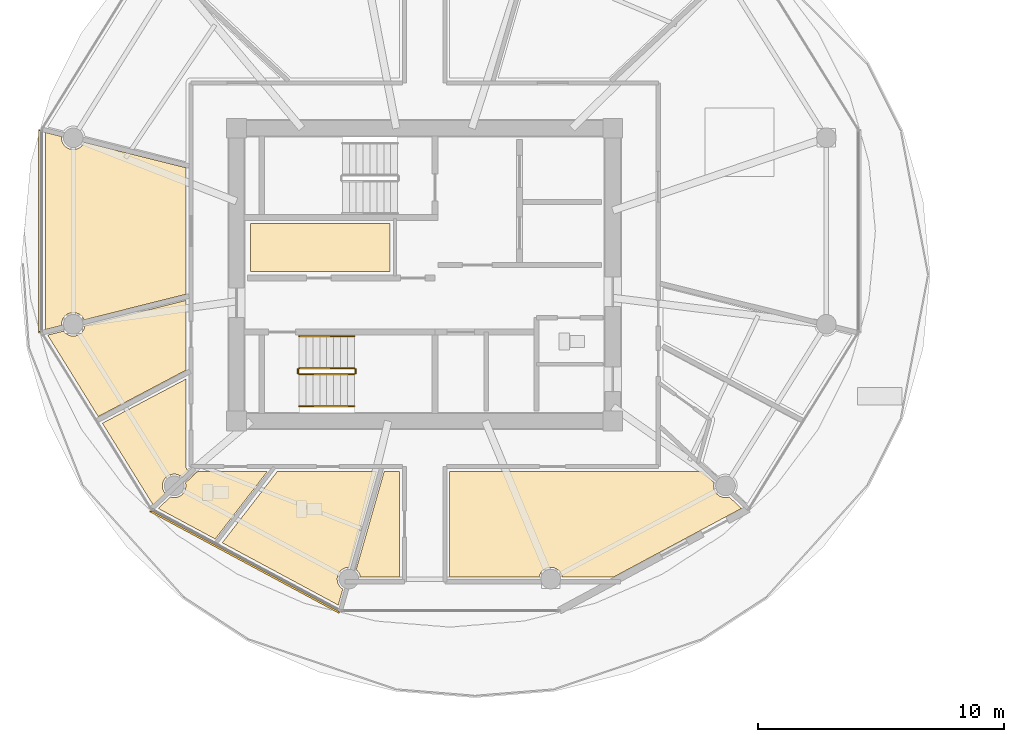
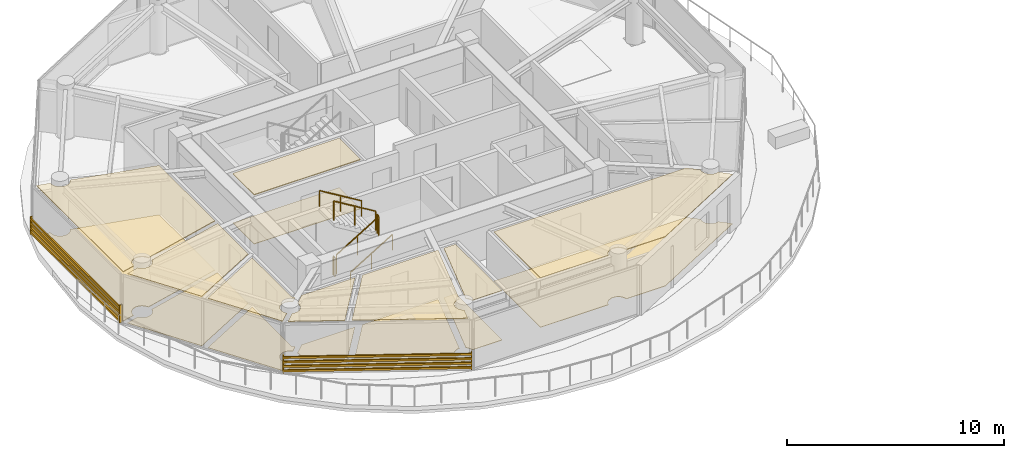
# One storey, part 19 of 28: 16 coverings, 6 railings, 2 shading devices.
"""IFC4 building model written with IfcOpenShell, lengths in metres."""

from ifc_helpers import new_model, si_unit, direction, frame, origin, origin_2d, place, context, subcontext, project, spatial, polyline, rectangle, outline, extrude, source, transform, mapped, material, layer, layer_set, type_object, type_shapes, element, save


model = new_model("IFC4")

# Units and contexts
model_context = context("Model", 3, precision=1e-05, world=origin(), true_north=direction((0.0, 1.0)))
body_context = subcontext(model_context, "Body", "Model", "MODEL_VIEW")
ifc_project = project(units=[si_unit("LENGTHUNIT", "METRE"), si_unit("AREAUNIT", "SQUARE_METRE"), si_unit("VOLUMEUNIT", "CUBIC_METRE"), si_unit("PLANEANGLEUNIT", "RADIAN"), si_unit("MASSUNIT", "GRAM", prefix="KILO")], contexts=[model_context])

# Site, building, storey
site_placement = place(None, origin())
site = spatial("IfcSite", under=ifc_project, at=site_placement, CompositionType="ELEMENT")
building_placement = place(site_placement, origin())
building = spatial("IfcBuilding", under=site, at=building_placement, Name="Norrkilde Senior Care Towers", CompositionType="ELEMENT")
storey_placement = place(building_placement, frame((0.0, 0.0, 134.300048828125)))
storey = spatial("IfcBuildingStorey", under=building, at=storey_placement, Name="L41", CompositionType="ELEMENT", Elevation=134.300048828125)

# Coverings
ifc_material_1 = material(Name="Nordic Ash Timber", Category="wood")
ifc_layer_1 = layer(ifc_material_1, 0.044921875)
ifc_layer_set_1 = layer_set([ifc_layer_1], Name="Nordic Ash Timber")
covering_type_1 = type_object("IfcCoveringType", Name="Acoustic Ash Timber Slatted Ceiling 45", PredefinedType="CEILING", material=ifc_layer_set_1)
covering_1_placement = place(storey_placement, frame((0.0, 0.0, 2.764892578125)))
element("IfcCovering", 1, at=covering_1_placement, inside=storey, type_object=covering_type_1, Name="L41 Suspended Ceiling 0273", PredefinedType="CEILING", context=body_context, shape_type="SweptSolid", body=[
    extrude(outline(polyline([(-29.39990234375, 0.1201171875), (-35.080078125, 0.1201171875), (-35.080078125, 2.090087890625), (-29.39990234375, 2.090087890625), (-29.39990234375, 0.1201171875)])), origin(), (0.0, 0.0, 1.0), 0.045166015625),
])
covering_2_placement = place(storey_placement, frame((0.0, 0.0, 2.764892578125)))
element("IfcCovering", 2, at=covering_2_placement, inside=storey, type_object=covering_type_1, Name="L41 Suspended Ceiling 0276", PredefinedType="CEILING", context=body_context, shape_type="SweptSolid", body=[
    extrude(outline(polyline([(-29.644775390625, -8.0), (-29.02001953125, -8.0), (-29.02001953125, -12.294677734375), (-30.60791015625, -12.294677734375), (-30.613525390625, -12.251220703125), (-30.66162109375, -12.135498046875), (-30.73779296875, -12.0361328125), (-30.78759765625, -11.997802734375), (-29.644775390625, -8.0)])), origin(), (0.0, 0.0, 1.0), 0.045166015625),
])
covering_3_placement = place(storey_placement, frame((0.0, 0.0, 2.764892578125)))
element("IfcCovering", 3, at=covering_3_placement, inside=storey, type_object=covering_type_1, Name="L41 Suspended Ceiling 0277", PredefinedType="CEILING", context=body_context, shape_type="SweptSolid", body=[
    extrude(outline(polyline([(-22.4033203125, -12.294677734375), (-22.4091796875, -12.251220703125), (-22.45703125, -12.135498046875), (-22.533203125, -12.0361328125), (-22.6328125, -11.959716796875), (-22.74853515625, -11.911865234375), (-22.872802734375, -11.8955078125), (-22.9970703125, -11.911865234375), (-23.11279296875, -11.959716796875), (-23.212158203125, -12.0361328125), (-23.288330078125, -12.135498046875), (-23.33642578125, -12.251220703125), (-23.342041015625, -12.294677734375), (-26.97998046875, -12.294677734375), (-26.97998046875, -8.0), (-16.72119140625, -8.0), (-16.23095703125, -8.45947265625), (-16.23095703125, -8.45947265625), (-16.247314453125, -8.583740234375), (-16.23095703125, -8.7080078125), (-16.18310546875, -8.82373046875), (-16.106689453125, -8.923095703125), (-16.00732421875, -8.99951171875), (-15.8916015625, -9.04736328125), (-15.767333984375, -9.063720703125), (-15.64306640625, -9.04736328125), (-15.61572265625, -9.0361328125), (-15.119384765625, -9.50146484375), (-20.3212890625, -12.294677734375), (-22.4033203125, -12.294677734375)])), origin(), (0.0, 0.0, 1.0), 0.045166015625),
])
covering_4_placement = place(storey_placement, frame((0.0, 0.0, 2.764892578125)))
element("IfcCovering", 4, at=covering_4_placement, inside=storey, type_object=covering_type_1, Name="L41 Suspended Ceiling 0279", PredefinedType="CEILING", context=body_context, shape_type="SweptSolid", body=[
    extrude(outline(polyline([(-42.764892578125, 5.567138671875), (-42.74853515625, 5.44287109375), (-42.70068359375, 5.3271484375), (-42.624267578125, 5.2275390625), (-42.52490234375, 5.1513671875), (-42.4091796875, 5.103515625), (-42.284912109375, 5.087158203125), (-42.16064453125, 5.103515625), (-42.044921875, 5.1513671875), (-41.945556640625, 5.2275390625), (-41.869140625, 5.3271484375), (-41.8447265625, 5.38623046875), (-37.699951171875, 4.34521484375), (-37.699951171875, -0.79443359375), (-41.8447265625, -1.83544921875), (-41.869140625, -1.7763671875), (-41.945556640625, -1.677001953125), (-42.044921875, -1.6005859375), (-42.16064453125, -1.552734375), (-42.284912109375, -1.536376953125), (-42.4091796875, -1.552734375), (-42.52490234375, -1.6005859375), (-42.624267578125, -1.677001953125), (-42.70068359375, -1.7763671875), (-42.74853515625, -1.89208984375), (-42.764892578125, -2.016357421875), (-42.758544921875, -2.06494140625), (-43.410888671875, -2.228759765625), (-43.410888671875, 5.779541015625), (-42.758544921875, 5.61572265625), (-42.764892578125, 5.567138671875)])), origin(), (0.0, 0.0, 1.0), 0.045166015625),
])
ifc_material_2 = material(Name="Gypsum Acoustic Board")
ifc_layer_2 = layer(ifc_material_2, 0.030029296875)
ifc_layer_set_2 = layer_set([ifc_layer_2], Name="Gypsum Acoustic Board")
covering_type_2 = type_object("IfcCoveringType", Name="Medical Cleanable Gypsum Ceiling 30", PredefinedType="CEILING", material=ifc_layer_set_2)
covering_5_placement = place(storey_placement, frame((0.0, 0.0, 2.780029296875)))
element("IfcCovering", 5, at=covering_5_placement, inside=storey, type_object=covering_type_2, Name="L41 Suspended Ceiling 0280", PredefinedType="CEILING", context=body_context, shape_type="SweptSolid", body=[
    extrude(outline(polyline([(-42.673828125, -2.291259765625), (-42.624267578125, -2.355712890625), (-42.52490234375, -2.43212890625), (-42.4091796875, -2.47998046875), (-42.284912109375, -2.496337890625), (-42.16064453125, -2.47998046875), (-42.044921875, -2.43212890625), (-41.945556640625, -2.355712890625), (-41.869140625, -2.25634765625), (-41.8212890625, -2.140625), (-41.812744140625, -2.074951171875), (-37.699951171875, -1.0419921875), (-37.699951171875, -3.88037109375), (-41.268798828125, -5.7666015625), (-43.324951171875, -2.45458984375), (-42.673828125, -2.291259765625)])), origin(), (0.0, 0.0, 1.0), 0.030029296875),
])
covering_6_placement = place(storey_placement, frame((0.0, 0.0, 2.780029296875)))
element("IfcCovering", 6, at=covering_6_placement, inside=storey, type_object=covering_type_2, Name="L41 Suspended Ceiling 0281", PredefinedType="CEILING", context=body_context, shape_type="SweptSolid", body=[
    extrude(outline(polyline([(-37.6982421875, -7.825439453125), (-37.697265625, -7.833251953125), (-37.69482421875, -7.8447265625), (-37.69287109375, -7.852294921875), (-37.689453125, -7.86376953125), (-37.68701171875, -7.87109375), (-37.682373046875, -7.8818359375), (-37.678955078125, -7.888916015625), (-37.673583984375, -7.8994140625), (-37.66943359375, -7.90625), (-37.662841796875, -7.916015625), (-37.658203125, -7.92236328125), (-37.65087890625, -7.931396484375), (-37.6455078125, -7.937255859375), (-37.63720703125, -7.945556640625), (-37.63134765625, -7.95068359375), (-37.622314453125, -7.958251953125), (-37.615966796875, -7.962890625), (-37.606201171875, -7.969482421875), (-37.599365234375, -7.973388671875), (-37.589111328125, -7.97900390625), (-37.58203125, -7.982421875), (-37.571044921875, -7.98681640625), (-37.567138671875, -7.98828125), (-37.842041015625, -8.245849609375), (-37.84326171875, -8.244384765625), (-37.942626953125, -8.16796875), (-38.058349609375, -8.1201171875), (-38.1826171875, -8.103759765625), (-38.306884765625, -8.1201171875), (-38.422607421875, -8.16796875), (-38.52197265625, -8.244384765625), (-38.598388671875, -8.34375), (-38.646240234375, -8.45947265625), (-38.66259765625, -8.583740234375), (-38.646240234375, -8.7080078125), (-38.598388671875, -8.82373046875), (-38.539794921875, -8.89990234375), (-39.03515625, -9.3642578125), (-41.099609375, -6.0390625), (-37.699951171875, -4.242431640625), (-37.699951171875, -7.800048828125), (-37.699951171875, -7.805908203125), (-37.699462890625, -7.813720703125), (-37.6982421875, -7.825439453125)])), origin(), (0.0, 0.0, 1.0), 0.030029296875),
])
covering_7_placement = place(storey_placement, frame((0.0, 0.0, 2.780029296875)))
element("IfcCovering", 7, at=covering_7_placement, inside=storey, type_object=covering_type_2, Name="L41 Suspended Ceiling 0282", PredefinedType="CEILING", context=body_context, shape_type="SweptSolid", body=[
    extrude(outline(polyline([(-38.334228515625, -9.0361328125), (-38.306884765625, -9.04736328125), (-38.1826171875, -9.063720703125), (-38.058349609375, -9.04736328125), (-37.942626953125, -8.99951171875), (-37.84326171875, -8.923095703125), (-37.766845703125, -8.82373046875), (-37.718994140625, -8.7080078125), (-37.70263671875, -8.583740234375), (-37.718994140625, -8.45947265625), (-37.718994140625, -8.45947265625), (-37.228759765625, -8.0), (-34.39306640625, -8.0), (-36.5126953125, -10.74609375), (-38.830810546875, -9.50146484375), (-38.334228515625, -9.0361328125)])), origin(), (0.0, 0.0, 1.0), 0.030029296875),
])
covering_8_placement = place(storey_placement, frame((0.0, 0.0, 2.780029296875)))
element("IfcCovering", 8, at=covering_8_placement, inside=storey, type_object=covering_type_2, Name="L41 Suspended Ceiling 0283", PredefinedType="CEILING", context=body_context, shape_type="SweptSolid", body=[
    extrude(outline(polyline([(-29.956787109375, -8.0), (-31.070556640625, -11.896240234375), (-31.077392578125, -11.8955078125), (-31.201416015625, -11.911865234375), (-31.3173828125, -11.959716796875), (-31.416748046875, -12.0361328125), (-31.492919921875, -12.135498046875), (-31.541015625, -12.251220703125), (-31.557373046875, -12.37548828125), (-31.541015625, -12.499755859375), (-31.492919921875, -12.615478515625), (-31.416748046875, -12.71484375), (-31.32470703125, -12.785400390625), (-31.509765625, -13.432373046875), (-36.226806640625, -10.899658203125), (-33.990478515625, -8.002197265625), (-33.989013671875, -8.0), (-29.956787109375, -8.0)])), origin(), (0.0, 0.0, 1.0), 0.030029296875),
])
ifc_material_3 = material(Name="Slip-Resistant Porcelain Stone", Category="masonry")
ifc_layer_3 = layer(ifc_material_3, 0.02490234375)
ifc_layer_set_3 = layer_set([ifc_layer_3], Name="Slip-Resistant Porcelain Stone")
covering_type_3 = type_object("IfcCoveringType", Name="Slip-Resistant Porcelain Flooring 25", PredefinedType="FLOORING", material=ifc_layer_set_3)
covering_9_placement = place(storey_placement, origin())
element("IfcCovering", 9, at=covering_9_placement, inside=storey, type_object=covering_type_3, Name="L41 Floor Finish 0273", PredefinedType="FLOORING", context=body_context, shape_type="SweptSolid", body=[
    extrude(outline(polyline([(-29.39990234375, 0.1201171875), (-35.080078125, 0.1201171875), (-35.080078125, 2.090087890625), (-29.39990234375, 2.090087890625), (-29.39990234375, 0.1201171875)])), origin(), (0.0, 0.0, 1.0), 0.02490234375),
])
covering_10_placement = place(storey_placement, origin())
element("IfcCovering", 10, at=covering_10_placement, inside=storey, type_object=covering_type_3, Name="L41 Floor Finish 0276", PredefinedType="FLOORING", context=body_context, shape_type="SweptSolid", body=[
    extrude(outline(polyline([(-29.644775390625, -8.0), (-29.02001953125, -8.0), (-29.02001953125, -12.294677734375), (-30.60791015625, -12.294677734375), (-30.613525390625, -12.251220703125), (-30.66162109375, -12.135498046875), (-30.73779296875, -12.0361328125), (-30.78759765625, -11.997802734375), (-29.644775390625, -8.0)])), origin(), (0.0, 0.0, 1.0), 0.02490234375),
])
covering_11_placement = place(storey_placement, origin())
element("IfcCovering", 11, at=covering_11_placement, inside=storey, type_object=covering_type_3, Name="L41 Floor Finish 0277", PredefinedType="FLOORING", context=body_context, shape_type="SweptSolid", body=[
    extrude(outline(polyline([(-22.4033203125, -12.294677734375), (-22.4091796875, -12.251220703125), (-22.45703125, -12.135498046875), (-22.533203125, -12.0361328125), (-22.6328125, -11.959716796875), (-22.74853515625, -11.911865234375), (-22.872802734375, -11.8955078125), (-22.9970703125, -11.911865234375), (-23.11279296875, -11.959716796875), (-23.212158203125, -12.0361328125), (-23.288330078125, -12.135498046875), (-23.33642578125, -12.251220703125), (-23.342041015625, -12.294677734375), (-26.97998046875, -12.294677734375), (-26.97998046875, -8.0), (-16.72119140625, -8.0), (-16.23095703125, -8.45947265625), (-16.23095703125, -8.45947265625), (-16.247314453125, -8.583740234375), (-16.23095703125, -8.7080078125), (-16.18310546875, -8.82373046875), (-16.106689453125, -8.923095703125), (-16.00732421875, -8.99951171875), (-15.8916015625, -9.04736328125), (-15.767333984375, -9.063720703125), (-15.64306640625, -9.04736328125), (-15.61572265625, -9.0361328125), (-15.119384765625, -9.50146484375), (-20.3212890625, -12.294677734375), (-22.4033203125, -12.294677734375)])), origin(), (0.0, 0.0, 1.0), 0.02490234375),
])
covering_12_placement = place(storey_placement, origin())
element("IfcCovering", 12, at=covering_12_placement, inside=storey, type_object=covering_type_3, Name="L41 Floor Finish 0279", PredefinedType="FLOORING", context=body_context, shape_type="SweptSolid", body=[
    extrude(outline(polyline([(-42.764892578125, 5.567138671875), (-42.74853515625, 5.44287109375), (-42.70068359375, 5.3271484375), (-42.624267578125, 5.2275390625), (-42.52490234375, 5.1513671875), (-42.4091796875, 5.103515625), (-42.284912109375, 5.087158203125), (-42.16064453125, 5.103515625), (-42.044921875, 5.1513671875), (-41.945556640625, 5.2275390625), (-41.869140625, 5.3271484375), (-41.8447265625, 5.38623046875), (-37.699951171875, 4.34521484375), (-37.699951171875, -0.79443359375), (-41.8447265625, -1.83544921875), (-41.869140625, -1.7763671875), (-41.945556640625, -1.677001953125), (-42.044921875, -1.6005859375), (-42.16064453125, -1.552734375), (-42.284912109375, -1.536376953125), (-42.4091796875, -1.552734375), (-42.52490234375, -1.6005859375), (-42.624267578125, -1.677001953125), (-42.70068359375, -1.7763671875), (-42.74853515625, -1.89208984375), (-42.764892578125, -2.016357421875), (-42.758544921875, -2.06494140625), (-43.410888671875, -2.228759765625), (-43.410888671875, 5.779541015625), (-42.758544921875, 5.61572265625), (-42.764892578125, 5.567138671875)])), origin(), (0.0, 0.0, 1.0), 0.02490234375),
])
covering_13_placement = place(storey_placement, origin())
element("IfcCovering", 13, at=covering_13_placement, inside=storey, type_object=covering_type_3, Name="L41 Floor Finish 0280", PredefinedType="FLOORING", context=body_context, shape_type="SweptSolid", body=[
    extrude(outline(polyline([(-42.673828125, -2.291259765625), (-42.624267578125, -2.355712890625), (-42.52490234375, -2.43212890625), (-42.4091796875, -2.47998046875), (-42.284912109375, -2.496337890625), (-42.16064453125, -2.47998046875), (-42.044921875, -2.43212890625), (-41.945556640625, -2.355712890625), (-41.869140625, -2.25634765625), (-41.8212890625, -2.140625), (-41.812744140625, -2.074951171875), (-37.699951171875, -1.0419921875), (-37.699951171875, -3.88037109375), (-41.268798828125, -5.7666015625), (-43.324951171875, -2.45458984375), (-42.673828125, -2.291259765625)])), origin(), (0.0, 0.0, 1.0), 0.02490234375),
])
covering_14_placement = place(storey_placement, origin())
element("IfcCovering", 14, at=covering_14_placement, inside=storey, type_object=covering_type_3, Name="L41 Floor Finish 0281", PredefinedType="FLOORING", context=body_context, shape_type="SweptSolid", body=[
    extrude(outline(polyline([(-37.6982421875, -7.825439453125), (-37.697265625, -7.833251953125), (-37.69482421875, -7.8447265625), (-37.69287109375, -7.852294921875), (-37.689453125, -7.86376953125), (-37.68701171875, -7.87109375), (-37.682373046875, -7.8818359375), (-37.678955078125, -7.888916015625), (-37.673583984375, -7.8994140625), (-37.66943359375, -7.90625), (-37.662841796875, -7.916015625), (-37.658203125, -7.92236328125), (-37.65087890625, -7.931396484375), (-37.6455078125, -7.937255859375), (-37.63720703125, -7.945556640625), (-37.63134765625, -7.95068359375), (-37.622314453125, -7.958251953125), (-37.615966796875, -7.962890625), (-37.606201171875, -7.969482421875), (-37.599365234375, -7.973388671875), (-37.589111328125, -7.97900390625), (-37.58203125, -7.982421875), (-37.571044921875, -7.98681640625), (-37.567138671875, -7.98828125), (-37.842041015625, -8.245849609375), (-37.84326171875, -8.244384765625), (-37.942626953125, -8.16796875), (-38.058349609375, -8.1201171875), (-38.1826171875, -8.103759765625), (-38.306884765625, -8.1201171875), (-38.422607421875, -8.16796875), (-38.52197265625, -8.244384765625), (-38.598388671875, -8.34375), (-38.646240234375, -8.45947265625), (-38.66259765625, -8.583740234375), (-38.646240234375, -8.7080078125), (-38.598388671875, -8.82373046875), (-38.539794921875, -8.89990234375), (-39.03515625, -9.3642578125), (-41.099609375, -6.0390625), (-37.699951171875, -4.242431640625), (-37.699951171875, -7.800048828125), (-37.699951171875, -7.805908203125), (-37.699462890625, -7.813720703125), (-37.6982421875, -7.825439453125)])), origin(), (0.0, 0.0, 1.0), 0.02490234375),
])
covering_15_placement = place(storey_placement, origin())
element("IfcCovering", 15, at=covering_15_placement, inside=storey, type_object=covering_type_3, Name="L41 Floor Finish 0282", PredefinedType="FLOORING", context=body_context, shape_type="SweptSolid", body=[
    extrude(outline(polyline([(-38.334228515625, -9.0361328125), (-38.306884765625, -9.04736328125), (-38.1826171875, -9.063720703125), (-38.058349609375, -9.04736328125), (-37.942626953125, -8.99951171875), (-37.84326171875, -8.923095703125), (-37.766845703125, -8.82373046875), (-37.718994140625, -8.7080078125), (-37.70263671875, -8.583740234375), (-37.718994140625, -8.45947265625), (-37.718994140625, -8.45947265625), (-37.228759765625, -8.0), (-34.39306640625, -8.0), (-36.5126953125, -10.74609375), (-38.830810546875, -9.50146484375), (-38.334228515625, -9.0361328125)])), origin(), (0.0, 0.0, 1.0), 0.02490234375),
])
covering_16_placement = place(storey_placement, origin())
element("IfcCovering", 16, at=covering_16_placement, inside=storey, type_object=covering_type_3, Name="L41 Floor Finish 0283", PredefinedType="FLOORING", context=body_context, shape_type="SweptSolid", body=[
    extrude(outline(polyline([(-29.956787109375, -8.0), (-31.070556640625, -11.896240234375), (-31.077392578125, -11.8955078125), (-31.201416015625, -11.911865234375), (-31.3173828125, -11.959716796875), (-31.416748046875, -12.0361328125), (-31.492919921875, -12.135498046875), (-31.541015625, -12.251220703125), (-31.557373046875, -12.37548828125), (-31.541015625, -12.499755859375), (-31.492919921875, -12.615478515625), (-31.416748046875, -12.71484375), (-31.32470703125, -12.785400390625), (-31.509765625, -13.432373046875), (-36.226806640625, -10.899658203125), (-33.990478515625, -8.002197265625), (-33.989013671875, -8.0), (-29.956787109375, -8.0)])), origin(), (0.0, 0.0, 1.0), 0.02490234375),
])

# Railings
ifc_material_4 = material(Name="Stainless Steel", Category="steel")
railing_type_1 = type_object("IfcRailingType", Name="Stair and Terrace Guardrail 1100", PredefinedType="GUARDRAIL", material=ifc_material_4)
railing_1_placement = place(storey_placement, frame((-33.10009765625, -4.050048828125, 0.16943359375)))
element("IfcRailing", 17, at=railing_1_placement, inside=storey, type_object=railing_type_1, Name="L41 ST-W2 stair guard 1", PredefinedType="GUARDRAIL", context=body_context, shape_type="SweptSolid", body=[
    extrude(rectangle(XDim=0.048095703125, YDim=0.048095703125, at=origin_2d()), frame((0.0, 0.0, 1.076171875), z_axis=(0.855553338991, 0.0, 0.51771467445), x_axis=(0.0, 1.0, 0.0)), (0.0, 0.0, 1.0), 2.6181640625),
    extrude(rectangle(XDim=0.0419921875, YDim=0.0419921875, at=origin_2d()), origin(), (0.0, 0.0, 1.0), 1.050048828125),
    extrude(rectangle(XDim=0.0419921875, YDim=0.0419921875, at=origin_2d()), frame((1.1201171875, 0.0, 0.677734375)), (0.0, 0.0, 1.0), 1.050048828125),
    extrude(rectangle(XDim=0.0419921875, YDim=0.0419921875, at=origin_2d()), frame((2.239990234375, 0.0, 1.35546875)), (0.0, 0.0, 1.0), 1.050048828125),
])
railing_2_placement = place(storey_placement, frame((-30.81005859375, -4.0, 1.52490234375)))
element("IfcRailing", 18, at=railing_2_placement, inside=storey, type_object=railing_type_1, Name="L41 ST-W2 stair guard 2", PredefinedType="GUARDRAIL", context=body_context, shape_type="SweptSolid", body=[
    extrude(rectangle(XDim=0.048095703125, YDim=0.048095703125, at=origin_2d()), frame((0.0, 0.0, 1.076171875), z_axis=(0.0, 1.0, 0.0), x_axis=(-1.0, 0.0, 0.0)), (0.0, 0.0, 1.0), 0.14990234375),
    extrude(rectangle(XDim=0.0419921875, YDim=0.0419921875, at=origin_2d()), origin(), (0.0, 0.0, 1.0), 1.050048828125),
    extrude(rectangle(XDim=0.0419921875, YDim=0.0419921875, at=origin_2d()), frame((0.0, 0.14990234375, 0.0)), (0.0, 0.0, 1.0), 1.050048828125),
])
railing_3_placement = place(storey_placement, frame((-30.860107421875, -3.800048828125, 1.6943359375)))
element("IfcRailing", 19, at=railing_3_placement, inside=storey, type_object=railing_type_1, Name="L41 ST-W2 stair guard 3", PredefinedType="GUARDRAIL", context=body_context, shape_type="SweptSolid", body=[
    extrude(rectangle(XDim=0.048095703125, YDim=0.048095703125, at=origin_2d()), frame((0.0, 0.0, 1.076171875), z_axis=(-0.855512035549, 0.0, 0.517782924622), x_axis=(0.0, -1.0, 0.0)), (0.0, 0.0, 1.0), 2.618408203125),
    extrude(rectangle(XDim=0.0419921875, YDim=0.0419921875, at=origin_2d()), origin(), (0.0, 0.0, 1.0), 1.050048828125),
    extrude(rectangle(XDim=0.0419921875, YDim=0.0419921875, at=origin_2d()), frame((-1.1201171875, 0.0, 0.677734375)), (0.0, 0.0, 1.0), 1.050048828125),
    extrude(rectangle(XDim=0.0419921875, YDim=0.0419921875, at=origin_2d()), frame((-2.239990234375, 0.0, 1.355712890625)), (0.0, 0.0, 1.0), 1.050048828125),
])
railing_4_placement = place(storey_placement, frame((-33.14990234375, -4.0, 0.0)))
element("IfcRailing", 20, at=railing_4_placement, inside=storey, type_object=railing_type_1, Name="L41 ST-W2 stair guard 4", PredefinedType="GUARDRAIL", context=body_context, shape_type="SweptSolid", body=[
    extrude(rectangle(XDim=0.048095703125, YDim=0.048095703125, at=origin_2d()), frame((0.0, 0.0, 1.076171875), z_axis=(0.0, 1.0, 0.0), x_axis=(-1.0, 0.0, 0.0)), (0.0, 0.0, 1.0), 0.14990234375),
    extrude(rectangle(XDim=0.0419921875, YDim=0.0419921875, at=origin_2d()), origin(), (0.0, 0.0, 1.0), 1.050048828125),
    extrude(rectangle(XDim=0.0419921875, YDim=0.0419921875, at=origin_2d()), frame((0.0, 0.14990234375, 0.0)), (0.0, 0.0, 1.0), 1.050048828125),
])
railing_type_2 = type_object("IfcRailingType", Name="Wall and Stair Handrail 900", PredefinedType="HANDRAIL", material=ifc_material_1)
railing_5_placement = place(storey_placement, frame((-33.10009765625, -5.35009765625, 0.16943359375)))
element("IfcRailing", 21, at=railing_5_placement, inside=storey, type_object=railing_type_2, Name="L41 ST-W2 stair handrail 1", PredefinedType="HANDRAIL", context=body_context, shape_type="SweptSolid", body=[
    extrude(rectangle(XDim=0.048095703125, YDim=0.048095703125, at=origin_2d()), frame((0.0, 0.0, 0.8759765625), z_axis=(0.855553338991, 0.0, 0.51771467445), x_axis=(0.0, 1.0, 0.0)), (0.0, 0.0, 1.0), 2.6181640625),
    extrude(rectangle(XDim=0.0419921875, YDim=0.0419921875, at=origin_2d()), origin(), (0.0, 0.0, 1.0), 0.849853515625),
    extrude(rectangle(XDim=0.0419921875, YDim=0.0419921875, at=origin_2d()), frame((1.1201171875, 0.0, 0.677734375)), (0.0, 0.0, 1.0), 0.849853515625),
    extrude(rectangle(XDim=0.0419921875, YDim=0.0419921875, at=origin_2d()), frame((2.239990234375, 0.0, 1.35546875)), (0.0, 0.0, 1.0), 0.849853515625),
])
railing_6_placement = place(storey_placement, frame((-30.860107421875, -2.5, 1.6943359375)))
element("IfcRailing", 22, at=railing_6_placement, inside=storey, type_object=railing_type_2, Name="L41 ST-W2 stair handrail 2", PredefinedType="HANDRAIL", context=body_context, shape_type="SweptSolid", body=[
    extrude(rectangle(XDim=0.048095703125, YDim=0.048095703125, at=origin_2d()), frame((0.0, 0.0, 0.8759765625), z_axis=(-0.855512035549, 0.0, 0.517782924622), x_axis=(0.0, -1.0, 0.0)), (0.0, 0.0, 1.0), 2.618408203125),
    extrude(rectangle(XDim=0.0419921875, YDim=0.0419921875, at=origin_2d()), origin(), (0.0, 0.0, 1.0), 0.849853515625),
    extrude(rectangle(XDim=0.0419921875, YDim=0.0419921875, at=origin_2d()), frame((-1.1201171875, 0.0, 0.677734375)), (0.0, 0.0, 1.0), 0.849853515625),
    extrude(rectangle(XDim=0.0419921875, YDim=0.0419921875, at=origin_2d()), frame((-2.239990234375, 0.0, 1.355712890625)), (0.0, 0.0, 1.0), 0.849853515625),
])

# Shading devices
ifc_material_5 = material(Name="Architectural Terracotta", Category="masonry")
shading_device_type = type_object("IfcShadingDeviceType", Name="Horizontal Terracotta Baguette Rack", PredefinedType="USERDEFINED", material=ifc_material_5)
shared_shape_1 = source(origin(), body_context, "Body", "SweptSolid", [
    extrude(rectangle(XDim=0.070068359375, YDim=0.110107421875, at=origin_2d()), frame((0.0, 0.090087890625, 0.125), z_axis=(1.0, 0.0, 0.0), x_axis=(0.0, 1.0, 0.0)), (0.0, 0.0, 1.0), 8.74169921875),
    extrude(rectangle(XDim=0.070068359375, YDim=0.110107421875, at=origin_2d()), frame((0.0, 0.090087890625, 0.375), z_axis=(1.0, 0.0, 0.0), x_axis=(0.0, 1.0, 0.0)), (0.0, 0.0, 1.0), 8.74169921875),
    extrude(rectangle(XDim=0.070068359375, YDim=0.110107421875, at=origin_2d()), frame((0.0, 0.090087890625, 0.625), z_axis=(1.0, 0.0, 0.0), x_axis=(0.0, 1.0, 0.0)), (0.0, 0.0, 1.0), 8.74169921875),
    extrude(rectangle(XDim=0.070068359375, YDim=0.110107421875, at=origin_2d()), frame((0.0, 0.090087890625, 0.875), z_axis=(1.0, 0.0, 0.0), x_axis=(0.0, 1.0, 0.0)), (0.0, 0.0, 1.0), 8.74169921875),
    extrude(rectangle(XDim=0.050048828125, YDim=0.1552734375, at=origin_2d()), frame((0.02490234375, 0.047607421875, 0.0)), (0.0, 0.0, 1.0), 1.0),
    extrude(rectangle(XDim=0.050048828125, YDim=0.1552734375, at=origin_2d()), frame((8.716796875, 0.047607421875, 0.0)), (0.0, 0.0, 1.0), 1.0),
])
shading_device_1_placement = place(storey_placement, frame((-31.421630859375, -13.66015625, 0.079833984375), z_axis=(0.0, 0.0, 1.0), x_axis=(-0.880997598168, 0.47313299447, 0.0)))
element("IfcShadingDevice", 23, at=shading_device_1_placement, inside=storey, type_object=shading_device_type, Name="L41 Drum W Terracotta Baguette Screen 07", ObjectType="BAGUETTE", PredefinedType="USERDEFINED", context=body_context, shape_type="MappedRepresentation", body=[
    mapped(shared_shape_1, transform((0.0, 0.0, 0.0), x_axis=(1.0, 0.0, 0.0), y_axis=(0.0, 1.0, 0.0), z_axis=(0.0, 0.0, 1.0), scale=1.0)),
])
shared_shape_2 = source(origin(), body_context, "Body", "SweptSolid", [
    extrude(rectangle(XDim=0.070068359375, YDim=0.110107421875, at=origin_2d()), frame((0.0, 0.090087890625, 0.125), z_axis=(1.0, 0.0, 0.0), x_axis=(0.0, 1.0, 0.0)), (0.0, 0.0, 1.0), 8.27197265625),
    extrude(rectangle(XDim=0.070068359375, YDim=0.110107421875, at=origin_2d()), frame((0.0, 0.090087890625, 0.375), z_axis=(1.0, 0.0, 0.0), x_axis=(0.0, 1.0, 0.0)), (0.0, 0.0, 1.0), 8.27197265625),
    extrude(rectangle(XDim=0.070068359375, YDim=0.110107421875, at=origin_2d()), frame((0.0, 0.090087890625, 0.625), z_axis=(1.0, 0.0, 0.0), x_axis=(0.0, 1.0, 0.0)), (0.0, 0.0, 1.0), 8.27197265625),
    extrude(rectangle(XDim=0.070068359375, YDim=0.110107421875, at=origin_2d()), frame((0.0, 0.090087890625, 0.875), z_axis=(1.0, 0.0, 0.0), x_axis=(0.0, 1.0, 0.0)), (0.0, 0.0, 1.0), 8.27197265625),
    extrude(rectangle(XDim=0.050048828125, YDim=0.1552734375, at=origin_2d()), frame((0.02490234375, 0.047607421875, 0.0)), (0.0, 0.0, 1.0), 1.0),
    extrude(rectangle(XDim=0.050048828125, YDim=0.1552734375, at=origin_2d()), frame((8.2470703125, 0.047607421875, 0.0)), (0.0, 0.0, 1.0), 1.0),
])
type_shapes(shading_device_type, [shared_shape_1, shared_shape_2])
shading_device_2_placement = place(storey_placement, frame((-43.569580078125, -2.360595703125, 0.079833984375), z_axis=(0.0, 0.0, 1.0), x_axis=(0.0, 1.0, 0.0)))
element("IfcShadingDevice", 24, at=shading_device_2_placement, inside=storey, type_object=shading_device_type, Name="L41 Drum W Terracotta Baguette Screen 05", ObjectType="BAGUETTE", PredefinedType="USERDEFINED", context=body_context, shape_type="MappedRepresentation", body=[
    mapped(shared_shape_2, transform((0.0, 0.0, 0.0), x_axis=(1.0, 0.0, 0.0), y_axis=(0.0, 1.0, 0.0), z_axis=(0.0, 0.0, 1.0), scale=1.0)),
])

save(model, "model.ifc")
